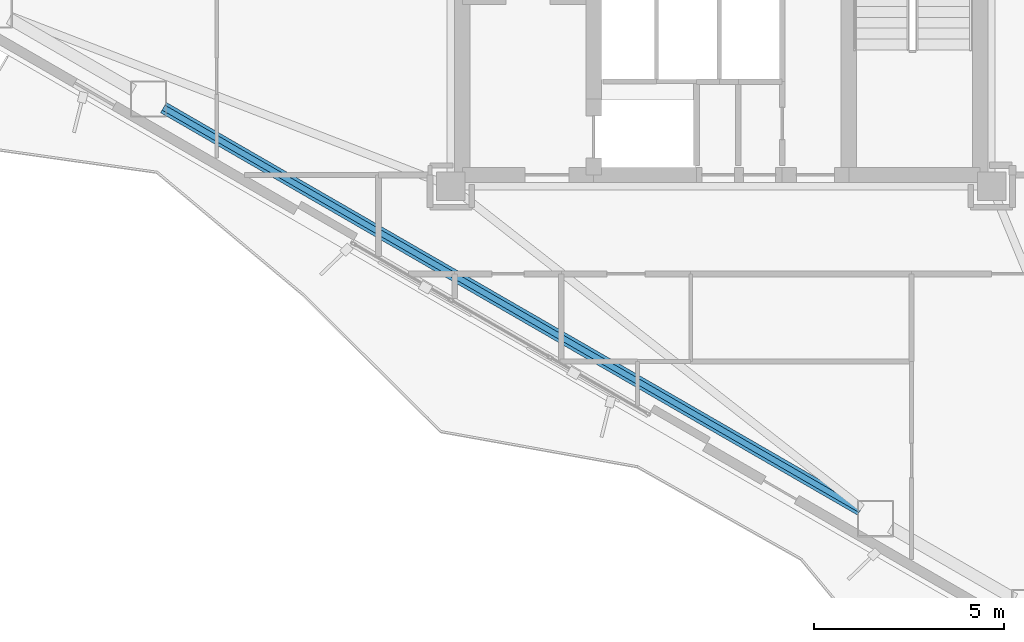
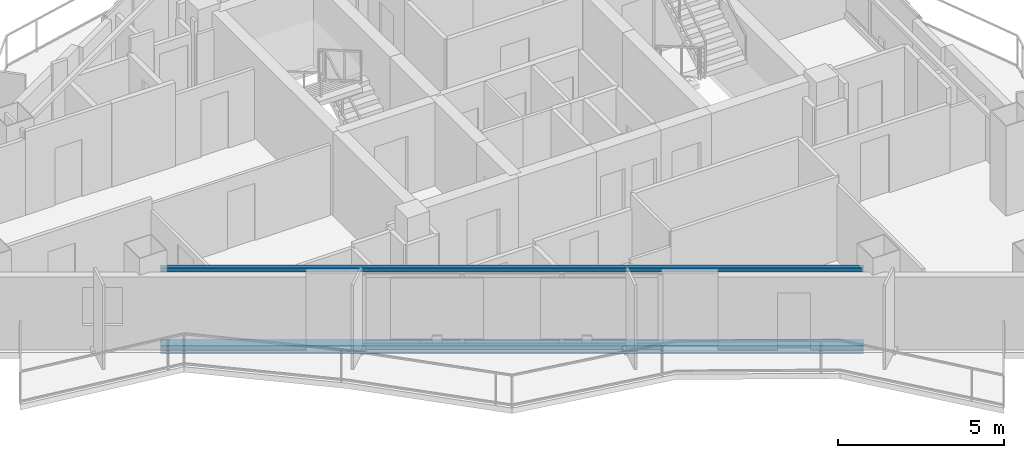
# One storey, part 3 of 22: 2 beams.
"""IFC4 building model written with IfcOpenShell, lengths in metres."""

from ifc_helpers import new_model, si_unit, direction, frame, origin, origin_2d, place, context, subcontext, project, spatial, hollow_rectangle, i_section, extrude, material, material_profile, profile_set, type_object, element, save


model = new_model("IFC4")

# Units and contexts
model_context = context("Model", 3, precision=1e-05, world=origin(), true_north=direction((0.0, 1.0)))
body_context = subcontext(model_context, "Body", "Model", "MODEL_VIEW")
ifc_project = project(units=[si_unit("LENGTHUNIT", "METRE"), si_unit("AREAUNIT", "SQUARE_METRE"), si_unit("VOLUMEUNIT", "CUBIC_METRE"), si_unit("PLANEANGLEUNIT", "RADIAN"), si_unit("MASSUNIT", "GRAM", prefix="KILO")], contexts=[model_context])

# Site, building, storey
site_placement = place(None, origin())
site = spatial("IfcSite", under=ifc_project, at=site_placement, CompositionType="ELEMENT")
building_placement = place(site_placement, origin())
building = spatial("IfcBuilding", under=site, at=building_placement, Name="Mersakhor Tower and Convention Hall", CompositionType="ELEMENT")
storey_placement = place(building_placement, frame((0.0, 0.0, 192.0)))
storey = spatial("IfcBuildingStorey", under=building, at=storey_placement, Name="L53", CompositionType="ELEMENT", Elevation=192.0)

# Beams
ifc_material_1 = material(Name="Steel S355", Category="steel")
ifc_material_profile_1 = material_profile(ifc_material_1, hollow_rectangle(XDim=0.14990234375, YDim=0.14990234375, WallThickness=0.010009765625, at=origin_2d()), Name="SHS 150x150x10")
ifc_profile_set_1 = profile_set([ifc_material_profile_1], Name="Steel S355")
beam_type_1 = type_object("IfcBeamType", Name="BM-GRT-SHS150", PredefinedType="USERDEFINED", material=ifc_profile_set_1)
beam_1_placement = place(storey_placement, frame((32.65771484375, 11.949951171875, 2.47998046875), z_axis=(-0.866028813665, 0.499994093867, 0.0), x_axis=(-0.499994093867, -0.866028813665, 0.0)))
element("IfcBeam", 1, at=beam_1_placement, inside=storey, type_object=beam_type_1, Name="L53 Facade Support Girt GRT-F3", ObjectType="GIRT", PredefinedType="USERDEFINED", context=body_context, shape_type="SweptSolid", body=[
    extrude(hollow_rectangle(XDim=0.14990234375, YDim=0.14990234375, WallThickness=0.010009765625, at=origin_2d()), origin(), (0.0, 0.0, 1.0), 21.135498046875),
])
ifc_material_2 = material(Name="Steel S355", Category="steel")
ifc_material_profile_2 = material_profile(ifc_material_2, i_section(OverallWidth=0.30908203125, OverallDepth=0.320556640625, WebThickness=0.013916015625, FlangeThickness=0.021728515625, at=origin_2d()), Name="UC 305x305x137")
ifc_profile_set_2 = profile_set([ifc_material_profile_2], Name="Steel S355")
beam_type_2 = type_object("IfcBeamType", Name="BM-SPD-UC305", PredefinedType="SPANDREL", material=ifc_profile_set_2)
beam_2_placement = place(storey_placement, frame((32.65771484375, 11.949951171875, -0.39013671875), z_axis=(-0.866028813665, 0.499994093867, 0.0), x_axis=(-0.499994093867, -0.866028813665, 0.0)))
element("IfcBeam", 2, at=beam_2_placement, inside=storey, type_object=beam_type_2, Name="L53 Perimeter Spandrel Beam SPB-10", PredefinedType="SPANDREL", context=body_context, shape_type="SweptSolid", body=[
    extrude(i_section(OverallWidth=0.30908203125, OverallDepth=0.320556640625, WebThickness=0.013916015625, FlangeThickness=0.021728515625, at=origin_2d()), origin(), (0.0, 0.0, 1.0), 21.135498046875),
])

save(model, "model.ifc")
